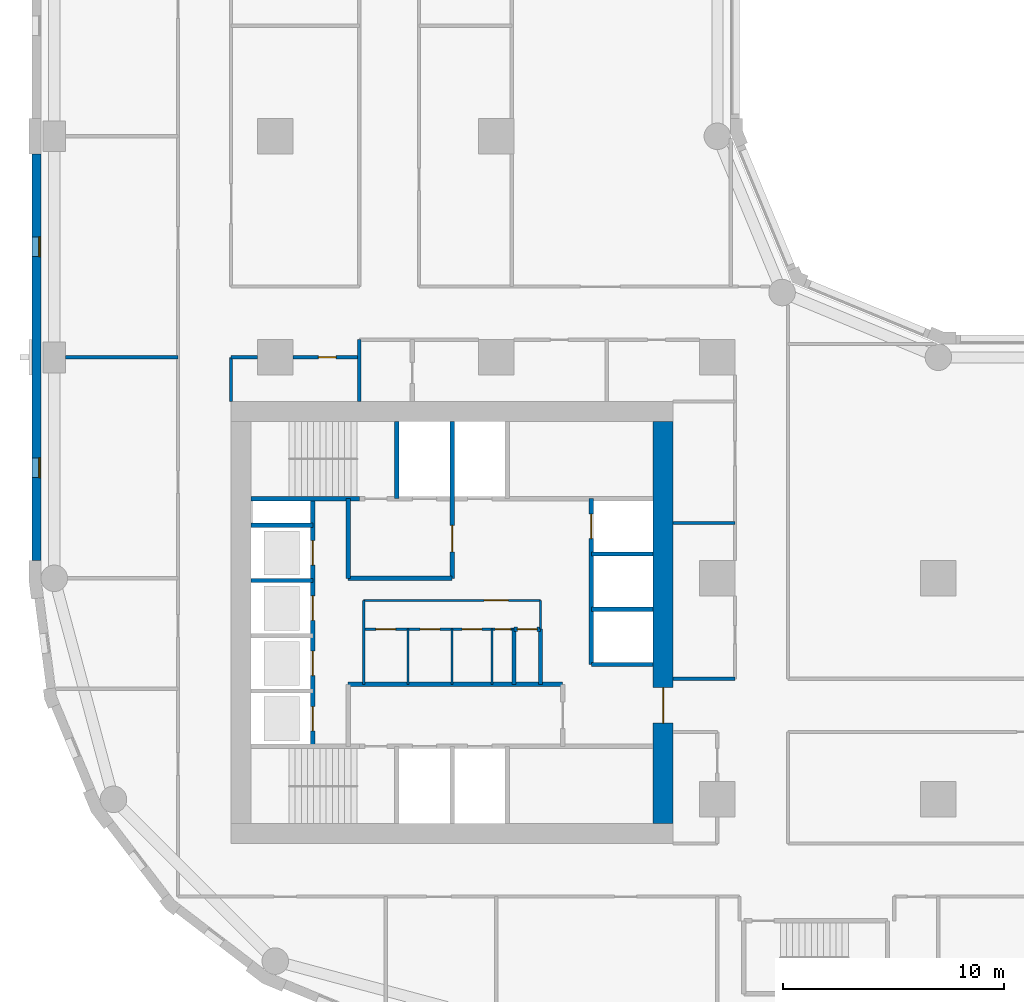
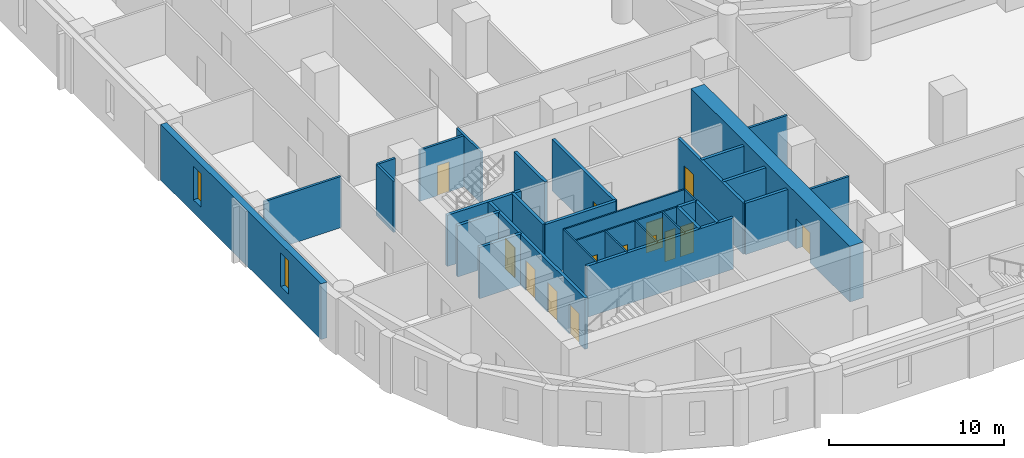
# One storey, part 3 of 10: 32 walls, 14 doors, 2 windows, 16 openings.
"""IFC4 building model written with IfcOpenShell, lengths in metres."""

from ifc_helpers import new_model, si_unit, direction, frame, frame_2d, origin, place, context, subcontext, project, spatial, rectangle, extrude, material, layer, layer_set, type_object, element, fill, save


model = new_model("IFC4")

# Units and contexts
model_context = context("Model", 3, precision=1e-05, world=origin(), true_north=direction((0.0, 1.0)))
body_context = subcontext(model_context, "Body", "Model", "MODEL_VIEW")
ifc_project = project(units=[si_unit("LENGTHUNIT", "METRE"), si_unit("AREAUNIT", "SQUARE_METRE"), si_unit("VOLUMEUNIT", "CUBIC_METRE"), si_unit("PLANEANGLEUNIT", "RADIAN"), si_unit("MASSUNIT", "GRAM", prefix="KILO")], contexts=[model_context])

# Site, building, storey
site_placement = place(None, origin())
site = spatial("IfcSite", under=ifc_project, at=site_placement, CompositionType="ELEMENT")
building_placement = place(site_placement, origin())
building = spatial("IfcBuilding", under=site, at=building_placement, Name="Qaws Garden Tower", CompositionType="ELEMENT")
storey_placement = place(building_placement, frame((0.0, 0.0, 93.89990234375)))
storey = spatial("IfcBuildingStorey", under=building, at=storey_placement, Name="L23", CompositionType="ELEMENT", Elevation=93.89990234375)

# Wall, openings, windows
ifc_material_1 = material(Name="Clay facing brick masonry", Category="masonry")
ifc_layer_1 = layer(ifc_material_1, 0.39990234375)
ifc_layer_set_1 = layer_set([ifc_layer_1], Name="Clay facing brick masonry")
wall_type_1 = type_object("IfcWallType", Name="Brick infill wall 400", PredefinedType="SOLIDWALL", material=ifc_layer_set_1)
wall_1_placement = place(storey_placement, frame((-0.800048828125, 39.199951171875, 0.0), z_axis=(0.0, 0.0, 1.0), x_axis=(0.0, -1.0, 0.0)))
wall_1 = element("IfcWall", 1, at=wall_1_placement, inside=storey, type_object=wall_type_1, Name="E-L23-infill-25", PredefinedType="SOLIDWALL", context=body_context, shape_type="SweptSolid", body=[
    extrude(rectangle(XDim=18.39990234375, YDim=0.39990234375, at=frame_2d((9.199951171875, 0.0))), origin(), (0.0, 0.0, 1.0), 3.900146484375),
])
opening_1_placement = place(wall_1_placement, frame((3.75, 0.0, 0.89990234375)))
opening_1 = element("IfcOpeningElement", 2, at=opening_1_placement, cuts=wall_1, Name="Opening W09", PredefinedType="OPENING", context=body_context, shape_type="SweptSolid", body=[
    extrude(rectangle(XDim=0.89990234375, YDim=2.35009765625, at=frame_2d((0.449951171875, 1.175048828125))), frame((0.0, 0.2099609375, 0.0), z_axis=(0.0, -1.0, 0.0), x_axis=(1.0, 0.0, 0.0)), (0.0, 0.0, 1.0), 0.419921875),
])
opening_2_placement = place(wall_1_placement, frame((13.75, 0.0, 0.89990234375)))
opening_2 = element("IfcOpeningElement", 3, at=opening_2_placement, cuts=wall_1, Name="Opening W09", PredefinedType="OPENING", context=body_context, shape_type="SweptSolid", body=[
    extrude(rectangle(XDim=0.89990234375, YDim=2.35009765625, at=frame_2d((0.449951171875, 1.175048828125))), frame((0.0, 0.2099609375, 0.0), z_axis=(0.0, -1.0, 0.0), x_axis=(1.0, 0.0, 0.0)), (0.0, 0.0, 1.0), 0.419921875),
])
ifc_material_2 = material(Name="Aluminium framed window, clear glazing", Category="aluminium")
window_type = type_object("IfcWindowType", Name="Slit window 900 x 2350", PartitioningType="SINGLE_PANEL", PredefinedType="WINDOW", material=ifc_material_2)
window_1_placement = place(opening_1_placement, origin())
window_1 = element("IfcWindow", 4, at=window_1_placement, inside=storey, type_object=window_type, Name="E-L23-window-25-0", OverallHeight=2.35009765625, OverallWidth=0.89990234375, PartitioningType="SINGLE_PANEL", PredefinedType="WINDOW", context=body_context, shape_type="SweptSolid", body=[
    extrude(rectangle(XDim=0.89990234375, YDim=2.35009765625, at=frame_2d((0.449951171875, 1.175048828125))), frame((0.0, 0.159912109375, 0.0), z_axis=(0.0, -1.0, 0.0), x_axis=(1.0, 0.0, 0.0)), (0.0, 0.0, 1.0), 0.06005859375),
])
fill(opening_1, window_1)
window_2_placement = place(opening_2_placement, origin())
window_2 = element("IfcWindow", 5, at=window_2_placement, inside=storey, type_object=window_type, Name="E-L23-window-26-0", OverallHeight=2.35009765625, OverallWidth=0.89990234375, PartitioningType="SINGLE_PANEL", PredefinedType="WINDOW", context=body_context, shape_type="SweptSolid", body=[
    extrude(rectangle(XDim=0.89990234375, YDim=2.35009765625, at=frame_2d((0.449951171875, 1.175048828125))), frame((0.0, 0.159912109375, 0.0), z_axis=(0.0, -1.0, 0.0), x_axis=(1.0, 0.0, 0.0)), (0.0, 0.0, 1.0), 0.06005859375),
])
fill(opening_2, window_2)

# Wall, openings, doors
ifc_material_3 = material(Name="Plasterboard")
ifc_layer_2 = layer(ifc_material_3, 0.10009765625)
ifc_layer_set_2 = layer_set([ifc_layer_2], Name="Plasterboard")
wall_type_2 = type_object("IfcWallType", Name="Core partition 100", PredefinedType="PARTITIONING", material=ifc_layer_set_2)
wall_2_placement = place(storey_placement, frame((14.0, 17.699951171875, 0.0), z_axis=(0.0, 0.0, 1.0), x_axis=(1.0, 0.0, 0.0)))
wall_2 = element("IfcWall", 6, at=wall_2_placement, inside=storey, type_object=wall_type_2, Name="Core partition", PredefinedType="PARTITIONING", context=body_context, shape_type="SweptSolid", body=[
    extrude(rectangle(XDim=6.800048828125, YDim=0.10009765625, at=frame_2d((3.39990234375, 0.0))), origin(), (0.0, 0.0, 1.0), 3.580078125),
])
opening_3_placement = place(wall_2_placement, frame((0.550048828125, 0.0, 0.0)))
opening_3 = element("IfcOpeningElement", 7, at=opening_3_placement, cuts=wall_2, Name="Opening WD18", PredefinedType="OPENING", context=body_context, shape_type="SweptSolid", body=[
    extrude(rectangle(XDim=0.89990234375, YDim=2.10009765625, at=frame_2d((0.449951171875, 1.050048828125))), frame((0.0, 0.06005859375, 0.0), z_axis=(0.0, -1.0, 0.0), x_axis=(1.0, 0.0, 0.0)), (0.0, 0.0, 1.0), 0.1201171875),
])
opening_4_placement = place(wall_2_placement, frame((2.550048828125, 0.0, 0.0)))
opening_4 = element("IfcOpeningElement", 8, at=opening_4_placement, cuts=wall_2, Name="Opening WD19", PredefinedType="OPENING", context=body_context, shape_type="SweptSolid", body=[
    extrude(rectangle(XDim=0.89990234375, YDim=2.10009765625, at=frame_2d((0.449951171875, 1.050048828125))), frame((0.0, 0.06005859375, 0.0), z_axis=(0.0, -1.0, 0.0), x_axis=(1.0, 0.0, 0.0)), (0.0, 0.0, 1.0), 0.1201171875),
])
opening_5_placement = place(wall_2_placement, frame((4.449951171875, 0.0, 0.0)))
opening_5 = element("IfcOpeningElement", 9, at=opening_5_placement, cuts=wall_2, Name="Opening WD20", PredefinedType="OPENING", context=body_context, shape_type="SweptSolid", body=[
    extrude(rectangle(XDim=0.89990234375, YDim=2.10009765625, at=frame_2d((0.449951171875, 1.050048828125))), frame((0.0, 0.06005859375, 0.0), z_axis=(0.0, -1.0, 0.0), x_axis=(1.0, 0.0, 0.0)), (0.0, 0.0, 1.0), 0.1201171875),
])
opening_6_placement = place(wall_2_placement, frame((5.949951171875, 0.0, 0.0)))
opening_6 = element("IfcOpeningElement", 10, at=opening_6_placement, cuts=wall_2, Name="Opening XD21", PredefinedType="OPENING", context=body_context, shape_type="SweptSolid", body=[
    extrude(rectangle(XDim=0.699951171875, YDim=2.10009765625, at=frame_2d((0.35009765625, 1.050048828125))), frame((0.0, 0.06005859375, 0.0), z_axis=(0.0, -1.0, 0.0), x_axis=(1.0, 0.0, 0.0)), (0.0, 0.0, 1.0), 0.1201171875),
])
ifc_material_4 = material(Name="Timber", Category="wood")
door_type_1 = type_object("IfcDoorType", Name="Store door 700x2100", OperationType="SINGLE_SWING_LEFT", PredefinedType="DOOR", material=ifc_material_4)
door_1_placement = place(opening_6_placement, frame((0.699951171875, 0.0, 0.0), z_axis=(0.0, 0.0, 1.0), x_axis=(-1.0, 0.0, 0.0)))
door_1 = element("IfcDoor", 11, at=door_1_placement, inside=storey, type_object=door_type_1, Name="Cleaner's store door", OperationType="SINGLE_SWING_LEFT", OverallHeight=2.10009765625, OverallWidth=0.699951171875, PredefinedType="DOOR", context=body_context, shape_type="SweptSolid", body=[
    extrude(rectangle(XDim=0.699951171875, YDim=2.10009765625, at=frame_2d((0.35009765625, 1.050048828125))), frame((0.0, 0.02490234375, 0.0), z_axis=(0.0, -1.0, 0.0), x_axis=(1.0, 0.0, 0.0)), (0.0, 0.0, 1.0), 0.050048828125),
])
fill(opening_6, door_1)
ifc_material_5 = material(Name="Timber", Category="wood")
door_type_2 = type_object("IfcDoorType", Name="WC door 900x2100", OperationType="SINGLE_SWING_LEFT", PredefinedType="DOOR", material=ifc_material_5)
door_2_placement = place(opening_3_placement, frame((0.89990234375, 0.0, 0.0), z_axis=(0.0, 0.0, 1.0), x_axis=(-1.0, 0.0, 0.0)))
door_2 = element("IfcDoor", 12, at=door_2_placement, inside=storey, type_object=door_type_2, Name="Women's WC door", OperationType="SINGLE_SWING_LEFT", OverallHeight=2.10009765625, OverallWidth=0.89990234375, PredefinedType="DOOR", context=body_context, shape_type="SweptSolid", body=[
    extrude(rectangle(XDim=0.89990234375, YDim=2.10009765625, at=frame_2d((0.449951171875, 1.050048828125))), frame((0.0, 0.02490234375, 0.0), z_axis=(0.0, -1.0, 0.0), x_axis=(1.0, 0.0, 0.0)), (0.0, 0.0, 1.0), 0.050048828125),
])
fill(opening_3, door_2)
door_3_placement = place(opening_4_placement, frame((0.89990234375, 0.0, 0.0), z_axis=(0.0, 0.0, 1.0), x_axis=(-1.0, 0.0, 0.0)))
door_3 = element("IfcDoor", 13, at=door_3_placement, inside=storey, type_object=door_type_2, Name="Men's WC door", OperationType="SINGLE_SWING_LEFT", OverallHeight=2.10009765625, OverallWidth=0.89990234375, PredefinedType="DOOR", context=body_context, shape_type="SweptSolid", body=[
    extrude(rectangle(XDim=0.89990234375, YDim=2.10009765625, at=frame_2d((0.449951171875, 1.050048828125))), frame((0.0, 0.02490234375, 0.0), z_axis=(0.0, -1.0, 0.0), x_axis=(1.0, 0.0, 0.0)), (0.0, 0.0, 1.0), 0.050048828125),
])
fill(opening_4, door_3)
door_4_placement = place(opening_5_placement, frame((0.89990234375, 0.0, 0.0), z_axis=(0.0, 0.0, 1.0), x_axis=(-1.0, 0.0, 0.0)))
door_4 = element("IfcDoor", 14, at=door_4_placement, inside=storey, type_object=door_type_2, Name="Accessible WC door", OperationType="SINGLE_SWING_LEFT", OverallHeight=2.10009765625, OverallWidth=0.89990234375, PredefinedType="DOOR", context=body_context, shape_type="SweptSolid", body=[
    extrude(rectangle(XDim=0.89990234375, YDim=2.10009765625, at=frame_2d((0.449951171875, 1.050048828125))), frame((0.0, 0.02490234375, 0.0), z_axis=(0.0, -1.0, 0.0), x_axis=(1.0, 0.0, 0.0)), (0.0, 0.0, 1.0), 0.050048828125),
])
fill(opening_5, door_4)

# Wall, opening, door
wall_3_placement = place(storey_placement, frame((14.0, 19.0, 0.0), z_axis=(0.0, 0.0, 1.0), x_axis=(1.0, 0.0, 0.0)))
wall_3 = element("IfcWall", 15, at=wall_3_placement, inside=storey, type_object=wall_type_2, Name="Core partition", PredefinedType="PARTITIONING", context=body_context, shape_type="SweptSolid", body=[
    extrude(rectangle(XDim=8.0, YDim=0.10009765625, at=frame_2d((4.0, 0.0))), origin(), (0.0, 0.0, 1.0), 3.580078125),
])
opening_7_placement = place(wall_3_placement, frame((5.449951171875, 0.0, 0.0)))
opening_7 = element("IfcOpeningElement", 16, at=opening_7_placement, cuts=wall_3, Name="Opening WL17", PredefinedType="OPENING", context=body_context, shape_type="SweptSolid", body=[
    extrude(rectangle(XDim=1.10009765625, YDim=2.10009765625, at=frame_2d((0.550048828125, 1.050048828125))), frame((0.0, 0.06005859375, 0.0), z_axis=(0.0, -1.0, 0.0), x_axis=(1.0, 0.0, 0.0)), (0.0, 0.0, 1.0), 0.1201171875),
])
ifc_material_6 = material(Name="Timber", Category="wood")
door_type_3 = type_object("IfcDoorType", Name="WC lobby door 1100x2100", OperationType="SINGLE_SWING_LEFT", PredefinedType="DOOR", material=ifc_material_6)
door_5_placement = place(opening_7_placement, frame((1.10009765625, 0.0, 0.0), z_axis=(0.0, 0.0, 1.0), x_axis=(-1.0, 0.0, 0.0)))
door_5 = element("IfcDoor", 17, at=door_5_placement, inside=storey, type_object=door_type_3, Name="WC lobby door", OperationType="SINGLE_SWING_LEFT", OverallHeight=2.10009765625, OverallWidth=1.10009765625, PredefinedType="DOOR", context=body_context, shape_type="SweptSolid", body=[
    extrude(rectangle(XDim=1.10009765625, YDim=2.10009765625, at=frame_2d((0.550048828125, 1.050048828125))), frame((0.0, 0.02490234375, 0.0), z_axis=(0.0, -1.0, 0.0), x_axis=(1.0, 0.0, 0.0)), (0.0, 0.0, 1.0), 0.050048828125),
])
fill(opening_7, door_5)

# Walls
wall_4_placement = place(storey_placement, frame((14.0, 15.199951171875, 0.0), z_axis=(0.0, 0.0, 1.0), x_axis=(0.0, 1.0, 0.0)))
element("IfcWall", 18, at=wall_4_placement, inside=storey, type_object=wall_type_2, Name="Core partition", PredefinedType="PARTITIONING", context=body_context, shape_type="SweptSolid", body=[
    extrude(rectangle(XDim=3.800048828125, YDim=0.10009765625, at=frame_2d((1.89990234375, 0.0))), origin(), (0.0, 0.0, 1.0), 3.580078125),
])
for number, where, z_axis, x_axis, name in (
    (19, (16.0, 15.199951171875, 0.0), (0.0, 0.0, 1.0), (0.0, 1.0, 0.0), "Core partition"),
    (20, (18.0, 15.199951171875, 0.0), (0.0, 0.0, 1.0), (0.0, 1.0, 0.0), "Core partition"),
    (21, (19.800048828125, 15.199951171875, 0.0), (0.0, 0.0, 1.0), (0.0, 1.0, 0.0), "Core partition"),
):
    element("IfcWall", number, at=place(storey_placement, frame(where, z_axis=z_axis, x_axis=x_axis)), inside=storey, type_object=wall_type_2, Name=name, PredefinedType="PARTITIONING", context=body_context, shape_type="SweptSolid", body=[
        extrude(rectangle(XDim=2.5, YDim=0.10009765625, at=frame_2d((1.25, 0.0))), origin(), (0.0, 0.0, 1.0), 3.580078125),
    ])
wall_5_placement = place(storey_placement, frame((22.0, 17.699951171875, 0.0), z_axis=(0.0, 0.0, 1.0), x_axis=(0.0, 1.0, 0.0)))
element("IfcWall", 22, at=wall_5_placement, inside=storey, type_object=wall_type_2, Name="Core partition", PredefinedType="PARTITIONING", context=body_context, shape_type="SweptSolid", body=[
    extrude(rectangle(XDim=1.300048828125, YDim=0.10009765625, at=frame_2d((0.64990234375, 0.0))), origin(), (0.0, 0.0, 1.0), 3.580078125),
])
ifc_material_7 = material(Name="Concrete C80", Category="concrete")
ifc_layer_3 = layer(ifc_material_7, 0.199951171875)
ifc_layer_set_3 = layer_set([ifc_layer_3], Name="Concrete C80")
wall_type_3 = type_object("IfcWallType", Name="Core shaft wall 200 C80", PredefinedType="SHEAR", material=ifc_layer_set_3)
wall_6_placement = place(storey_placement, frame((13.300048828125, 15.199951171875, 0.0), z_axis=(0.0, 0.0, 1.0), x_axis=(1.0, 0.0, 0.0)))
element("IfcWall", 23, at=wall_6_placement, inside=storey, type_object=wall_type_3, Name="Shaft wall", PredefinedType="SHEAR", context=body_context, shape_type="SweptSolid", body=[
    extrude(rectangle(XDim=9.699951171875, YDim=0.199951171875, at=frame_2d((4.85009765625, 0.0))), origin(), (0.0, 0.0, 1.0), 3.580078125),
])
wall_7_placement = place(storey_placement, frame((24.300048828125, 16.10009765625, 0.0), z_axis=(0.0, 0.0, 1.0), x_axis=(1.0, 0.0, 0.0)))
element("IfcWall", 24, at=wall_7_placement, inside=storey, type_object=wall_type_3, Name="Shaft wall", PredefinedType="SHEAR", context=body_context, shape_type="SweptSolid", body=[
    extrude(rectangle(XDim=2.800048828125, YDim=0.199951171875, at=frame_2d((1.39990234375, 0.0))), origin(), (0.0, 0.0, 1.0), 3.580078125),
])

# Wall, opening, door
wall_8_placement = place(storey_placement, frame((20.800048828125, 17.699951171875, 0.0), z_axis=(0.0, 0.0, 1.0), x_axis=(1.0, 0.0, 0.0)))
wall_8 = element("IfcWall", 25, at=wall_8_placement, inside=storey, type_object=wall_type_3, Name="Shaft wall", PredefinedType="SHEAR", context=body_context, shape_type="SweptSolid", body=[
    extrude(rectangle(XDim=1.199951171875, YDim=0.199951171875, at=frame_2d((0.60009765625, 0.0))), origin(), (0.0, 0.0, 1.0), 3.580078125),
])
opening_8_placement = place(wall_8_placement, frame((0.14990234375, 0.0, 0.0)))
opening_8 = element("IfcOpeningElement", 26, at=opening_8_placement, cuts=wall_8, Name="Opening WD22", PredefinedType="OPENING", context=body_context, shape_type="SweptSolid", body=[
    extrude(rectangle(XDim=0.89990234375, YDim=2.10009765625, at=frame_2d((0.449951171875, 1.050048828125))), frame((0.0, 0.10986328125, 0.0), z_axis=(0.0, -1.0, 0.0), x_axis=(1.0, 0.0, 0.0)), (0.0, 0.0, 1.0), 0.219970703125),
])
door_6_placement = place(opening_8_placement, frame((0.89990234375, 0.0, 0.0), z_axis=(0.0, 0.0, 1.0), x_axis=(-1.0, 0.0, 0.0)))
door_6 = element("IfcDoor", 27, at=door_6_placement, inside=storey, type_object=door_type_2, Name="Telecom riser door", OperationType="SINGLE_SWING_LEFT", OverallHeight=2.10009765625, OverallWidth=0.89990234375, PredefinedType="DOOR", context=body_context, shape_type="SweptSolid", body=[
    extrude(rectangle(XDim=0.89990234375, YDim=2.10009765625, at=frame_2d((0.449951171875, 1.050048828125))), frame((0.0, 0.02490234375, 0.0), z_axis=(0.0, -1.0, 0.0), x_axis=(1.0, 0.0, 0.0)), (0.0, 0.0, 1.0), 0.050048828125),
])
fill(opening_8, door_6)

# Walls
for number, where, z_axis, x_axis, name in (
    (28, (24.300048828125, 18.60009765625, 0.0), (0.0, 0.0, 1.0), (1.0, 0.0, 0.0), "Shaft wall"),
    (29, (8.89990234375, 19.89990234375, 0.0), (0.0, 0.0, 1.0), (1.0, 0.0, 0.0), "Shaft wall"),
):
    element("IfcWall", number, at=place(storey_placement, frame(where, z_axis=z_axis, x_axis=x_axis)), inside=storey, type_object=wall_type_3, Name=name, PredefinedType="SHEAR", context=body_context, shape_type="SweptSolid", body=[
        extrude(rectangle(XDim=2.800048828125, YDim=0.199951171875, at=frame_2d((1.39990234375, 0.0))), origin(), (0.0, 0.0, 1.0), 3.580078125),
    ])
wall_9_placement = place(storey_placement, frame((13.300048828125, 20.0, 0.0), z_axis=(0.0, 0.0, 1.0), x_axis=(1.0, 0.0, 0.0)))
element("IfcWall", 30, at=wall_9_placement, inside=storey, type_object=wall_type_3, Name="Shaft wall", PredefinedType="SHEAR", context=body_context, shape_type="SweptSolid", body=[
    extrude(rectangle(XDim=4.699951171875, YDim=0.199951171875, at=frame_2d((2.35009765625, 0.0))), origin(), (0.0, 0.0, 1.0), 3.580078125),
])
for number, where, z_axis, x_axis, name in (
    (31, (24.300048828125, 21.10009765625, 0.0), (0.0, 0.0, 1.0), (1.0, 0.0, 0.0), "Shaft wall"),
    (32, (8.89990234375, 22.39990234375, 0.0), (0.0, 0.0, 1.0), (1.0, 0.0, 0.0), "Shaft wall"),
):
    element("IfcWall", number, at=place(storey_placement, frame(where, z_axis=z_axis, x_axis=x_axis)), inside=storey, type_object=wall_type_3, Name=name, PredefinedType="SHEAR", context=body_context, shape_type="SweptSolid", body=[
        extrude(rectangle(XDim=2.800048828125, YDim=0.199951171875, at=frame_2d((1.39990234375, 0.0))), origin(), (0.0, 0.0, 1.0), 3.580078125),
    ])
wall_10_placement = place(storey_placement, frame((8.89990234375, 23.60009765625, 0.0), z_axis=(0.0, 0.0, 1.0), x_axis=(1.0, 0.0, 0.0)))
element("IfcWall", 33, at=wall_10_placement, inside=storey, type_object=wall_type_3, Name="Shaft wall", PredefinedType="SHEAR", context=body_context, shape_type="SweptSolid", body=[
    extrude(rectangle(XDim=4.900146484375, YDim=0.199951171875, at=frame_2d((2.4501953125, 0.0))), origin(), (0.0, 0.0, 1.0), 3.580078125),
])

# Wall, openings, doors
wall_11_placement = place(storey_placement, frame((11.699951171875, 12.39990234375, 0.0), z_axis=(0.0, 0.0, 1.0), x_axis=(0.0, 1.0, 0.0)))
wall_11 = element("IfcWall", 34, at=wall_11_placement, inside=storey, type_object=wall_type_3, Name="Shaft wall", PredefinedType="SHEAR", context=body_context, shape_type="SweptSolid", body=[
    extrude(rectangle(XDim=11.2001953125, YDim=0.199951171875, at=frame_2d((5.60009765625, 0.0))), origin(), (0.0, 0.0, 1.0), 3.580078125),
])
opening_9_placement = place(wall_11_placement, frame((0.699951171875, 0.0, 0.0)))
opening_9 = element("IfcOpeningElement", 35, at=opening_9_placement, cuts=wall_11, Name="Opening LD01", PredefinedType="OPENING", context=body_context, shape_type="SweptSolid", body=[
    extrude(rectangle(XDim=1.10009765625, YDim=2.10009765625, at=frame_2d((0.550048828125, 1.050048828125))), frame((0.0, 0.10986328125, 0.0), z_axis=(0.0, -1.0, 0.0), x_axis=(1.0, 0.0, 0.0)), (0.0, 0.0, 1.0), 0.219970703125),
])
opening_10_placement = place(wall_11_placement, frame((3.199951171875, 0.0, 0.0)))
opening_10 = element("IfcOpeningElement", 36, at=opening_10_placement, cuts=wall_11, Name="Opening LD02", PredefinedType="OPENING", context=body_context, shape_type="SweptSolid", body=[
    extrude(rectangle(XDim=1.10009765625, YDim=2.10009765625, at=frame_2d((0.550048828125, 1.050048828125))), frame((0.0, 0.10986328125, 0.0), z_axis=(0.0, -1.0, 0.0), x_axis=(1.0, 0.0, 0.0)), (0.0, 0.0, 1.0), 0.219970703125),
])
opening_11_placement = place(wall_11_placement, frame((5.699951171875, 0.0, 0.0)))
opening_11 = element("IfcOpeningElement", 37, at=opening_11_placement, cuts=wall_11, Name="Opening LD03", PredefinedType="OPENING", context=body_context, shape_type="SweptSolid", body=[
    extrude(rectangle(XDim=1.10009765625, YDim=2.10009765625, at=frame_2d((0.550048828125, 1.050048828125))), frame((0.0, 0.10986328125, 0.0), z_axis=(0.0, -1.0, 0.0), x_axis=(1.0, 0.0, 0.0)), (0.0, 0.0, 1.0), 0.219970703125),
])
opening_12_placement = place(wall_11_placement, frame((8.199951171875, 0.0, 0.0)))
opening_12 = element("IfcOpeningElement", 38, at=opening_12_placement, cuts=wall_11, Name="Opening LD04", PredefinedType="OPENING", context=body_context, shape_type="SweptSolid", body=[
    extrude(rectangle(XDim=1.10009765625, YDim=2.10009765625, at=frame_2d((0.550048828125, 1.050048828125))), frame((0.0, 0.10986328125, 0.0), z_axis=(0.0, -1.0, 0.0), x_axis=(1.0, 0.0, 0.0)), (0.0, 0.0, 1.0), 0.219970703125),
])
ifc_material_8 = material(Name="Steel S235", Category="steel")
door_type_4 = type_object("IfcDoorType", Name="Landing door 1100x2100", OperationType="DOUBLE_DOOR_SLIDING", PredefinedType="DOOR", material=ifc_material_8)
door_7_placement = place(opening_9_placement, origin())
door_7 = element("IfcDoor", 39, at=door_7_placement, inside=storey, type_object=door_type_4, Name="Lift W1 landing door", OperationType="DOUBLE_DOOR_SLIDING", OverallHeight=2.10009765625, OverallWidth=1.10009765625, PredefinedType="DOOR", context=body_context, shape_type="SweptSolid", body=[
    extrude(rectangle(XDim=1.10009765625, YDim=2.10009765625, at=frame_2d((0.550048828125, 1.050048828125))), frame((0.0, 0.02490234375, 0.0), z_axis=(0.0, -1.0, 0.0), x_axis=(1.0, 0.0, 0.0)), (0.0, 0.0, 1.0), 0.050048828125),
])
fill(opening_9, door_7)
door_8_placement = place(opening_10_placement, origin())
door_8 = element("IfcDoor", 40, at=door_8_placement, inside=storey, type_object=door_type_4, Name="Lift W2 landing door", OperationType="DOUBLE_DOOR_SLIDING", OverallHeight=2.10009765625, OverallWidth=1.10009765625, PredefinedType="DOOR", context=body_context, shape_type="SweptSolid", body=[
    extrude(rectangle(XDim=1.10009765625, YDim=2.10009765625, at=frame_2d((0.550048828125, 1.050048828125))), frame((0.0, 0.02490234375, 0.0), z_axis=(0.0, -1.0, 0.0), x_axis=(1.0, 0.0, 0.0)), (0.0, 0.0, 1.0), 0.050048828125),
])
fill(opening_10, door_8)
door_9_placement = place(opening_11_placement, origin())
door_9 = element("IfcDoor", 41, at=door_9_placement, inside=storey, type_object=door_type_4, Name="Lift W3 landing door", OperationType="DOUBLE_DOOR_SLIDING", OverallHeight=2.10009765625, OverallWidth=1.10009765625, PredefinedType="DOOR", context=body_context, shape_type="SweptSolid", body=[
    extrude(rectangle(XDim=1.10009765625, YDim=2.10009765625, at=frame_2d((0.550048828125, 1.050048828125))), frame((0.0, 0.02490234375, 0.0), z_axis=(0.0, -1.0, 0.0), x_axis=(1.0, 0.0, 0.0)), (0.0, 0.0, 1.0), 0.050048828125),
])
fill(opening_11, door_9)
door_10_placement = place(opening_12_placement, origin())
door_10 = element("IfcDoor", 42, at=door_10_placement, inside=storey, type_object=door_type_4, Name="Lift W4 landing door", OperationType="DOUBLE_DOOR_SLIDING", OverallHeight=2.10009765625, OverallWidth=1.10009765625, PredefinedType="DOOR", context=body_context, shape_type="SweptSolid", body=[
    extrude(rectangle(XDim=1.10009765625, YDim=2.10009765625, at=frame_2d((0.550048828125, 1.050048828125))), frame((0.0, 0.02490234375, 0.0), z_axis=(0.0, -1.0, 0.0), x_axis=(1.0, 0.0, 0.0)), (0.0, 0.0, 1.0), 0.050048828125),
])
fill(opening_12, door_10)

# Walls
wall_12_placement = place(storey_placement, frame((13.300048828125, 20.0, 0.0), z_axis=(0.0, 0.0, 1.0), x_axis=(0.0, 1.0, 0.0)))
element("IfcWall", 43, at=wall_12_placement, inside=storey, type_object=wall_type_3, Name="Shaft wall", PredefinedType="SHEAR", context=body_context, shape_type="SweptSolid", body=[
    extrude(rectangle(XDim=3.60009765625, YDim=0.199951171875, at=frame_2d((1.800048828125, 0.0))), origin(), (0.0, 0.0, 1.0), 3.580078125),
])
wall_13_placement = place(storey_placement, frame((15.5, 23.60009765625, 0.0), z_axis=(0.0, 0.0, 1.0), x_axis=(0.0, 1.0, 0.0)))
element("IfcWall", 44, at=wall_13_placement, inside=storey, type_object=wall_type_3, Name="Shaft wall", PredefinedType="SHEAR", context=body_context, shape_type="SweptSolid", body=[
    extrude(rectangle(XDim=3.5, YDim=0.199951171875, at=frame_2d((1.75, 0.0))), origin(), (0.0, 0.0, 1.0), 3.580078125),
])

# Wall, opening, door
wall_14_placement = place(storey_placement, frame((18.0, 20.0, 0.0), z_axis=(0.0, 0.0, 1.0), x_axis=(0.0, 1.0, 0.0)))
wall_14 = element("IfcWall", 45, at=wall_14_placement, inside=storey, type_object=wall_type_3, Name="Shaft wall", PredefinedType="SHEAR", context=body_context, shape_type="SweptSolid", body=[
    extrude(rectangle(XDim=7.10009765625, YDim=0.199951171875, at=frame_2d((3.550048828125, 0.0))), origin(), (0.0, 0.0, 1.0), 3.580078125),
])
opening_13_placement = place(wall_14_placement, frame((1.199951171875, 0.0, 0.0)))
opening_13 = element("IfcOpeningElement", 46, at=opening_13_placement, cuts=wall_14, Name="Opening FD16", PredefinedType="OPENING", context=body_context, shape_type="SweptSolid", body=[
    extrude(rectangle(XDim=1.199951171875, YDim=2.10009765625, at=frame_2d((0.60009765625, 1.050048828125))), frame((0.0, 0.10986328125, 0.0), z_axis=(0.0, -1.0, 0.0), x_axis=(1.0, 0.0, 0.0)), (0.0, 0.0, 1.0), 0.219970703125),
])
ifc_material_9 = material(Name="Steel S235", Category="steel")
door_type_5 = type_object("IfcDoorType", Name="Lobby door 1200x2100", OperationType="DOUBLE_DOOR_SINGLE_SWING", PredefinedType="DOOR", material=ifc_material_9)
door_11_placement = place(opening_13_placement, origin())
door_11 = element("IfcDoor", 47, at=door_11_placement, inside=storey, type_object=door_type_5, Name="Fire-fighting lobby door", OperationType="DOUBLE_DOOR_SINGLE_SWING", OverallHeight=2.10009765625, OverallWidth=1.199951171875, PredefinedType="DOOR", context=body_context, shape_type="SweptSolid", body=[
    extrude(rectangle(XDim=1.199951171875, YDim=2.10009765625, at=frame_2d((0.60009765625, 1.050048828125))), frame((0.0, 0.02490234375, 0.0), z_axis=(0.0, -1.0, 0.0), x_axis=(1.0, 0.0, 0.0)), (0.0, 0.0, 1.0), 0.050048828125),
])
fill(opening_13, door_11)

# Walls
for number, where, z_axis, x_axis, name in (
    (48, (20.800048828125, 15.199951171875, 0.0), (0.0, 0.0, 1.0), (0.0, 1.0, 0.0), "Shaft wall"),
    (49, (22.0, 15.199951171875, 0.0), (0.0, 0.0, 1.0), (0.0, 1.0, 0.0), "Shaft wall"),
):
    element("IfcWall", number, at=place(storey_placement, frame(where, z_axis=z_axis, x_axis=x_axis)), inside=storey, type_object=wall_type_3, Name=name, PredefinedType="SHEAR", context=body_context, shape_type="SweptSolid", body=[
        extrude(rectangle(XDim=2.5, YDim=0.199951171875, at=frame_2d((1.25, 0.0))), origin(), (0.0, 0.0, 1.0), 3.580078125),
    ])

# Wall, opening, door
wall_15_placement = place(storey_placement, frame((24.300048828125, 16.10009765625, 0.0), z_axis=(0.0, 0.0, 1.0), x_axis=(0.0, 1.0, 0.0)))
wall_15 = element("IfcWall", 50, at=wall_15_placement, inside=storey, type_object=wall_type_3, Name="Shaft wall", PredefinedType="SHEAR", context=body_context, shape_type="SweptSolid", body=[
    extrude(rectangle(XDim=7.5, YDim=0.199951171875, at=frame_2d((3.75, 0.0))), origin(), (0.0, 0.0, 1.0), 3.580078125),
])
opening_14_placement = place(wall_15_placement, frame((5.699951171875, 0.0, 0.0)))
opening_14 = element("IfcOpeningElement", 51, at=opening_14_placement, cuts=wall_15, Name="Opening LD05", PredefinedType="OPENING", context=body_context, shape_type="SweptSolid", body=[
    extrude(rectangle(XDim=1.10009765625, YDim=2.10009765625, at=frame_2d((0.550048828125, 1.050048828125))), frame((0.0, 0.10986328125, 0.0), z_axis=(0.0, -1.0, 0.0), x_axis=(1.0, 0.0, 0.0)), (0.0, 0.0, 1.0), 0.219970703125),
])
door_12_placement = place(opening_14_placement, origin())
door_12 = element("IfcDoor", 52, at=door_12_placement, inside=storey, type_object=door_type_4, Name="Lift E3 landing door", OperationType="DOUBLE_DOOR_SLIDING", OverallHeight=2.10009765625, OverallWidth=1.10009765625, PredefinedType="DOOR", context=body_context, shape_type="SweptSolid", body=[
    extrude(rectangle(XDim=1.10009765625, YDim=2.10009765625, at=frame_2d((0.550048828125, 1.050048828125))), frame((0.0, 0.02490234375, 0.0), z_axis=(0.0, -1.0, 0.0), x_axis=(1.0, 0.0, 0.0)), (0.0, 0.0, 1.0), 0.050048828125),
])
fill(opening_14, door_12)

ifc_material_10 = material(Name="Concrete C80", Category="concrete")
ifc_layer_4 = layer(ifc_material_10, 0.89990234375)
ifc_layer_set_4 = layer_set([ifc_layer_4], Name="Concrete C80")
wall_type_4 = type_object("IfcWallType", Name="Core wall 900 C80", PredefinedType="SHEAR", material=ifc_layer_set_4)
wall_16_placement = place(storey_placement, frame((27.550048828125, 8.89990234375, 0.0), z_axis=(0.0, 0.0, 1.0), x_axis=(0.0, 1.0, 0.0)))
wall_16 = element("IfcWall", 53, at=wall_16_placement, inside=storey, type_object=wall_type_4, Name="Core wall L23 east", PredefinedType="SHEAR", context=body_context, shape_type="SweptSolid", body=[
    extrude(rectangle(XDim=18.2001953125, YDim=0.89990234375, at=frame_2d((9.10009765625, 0.0))), origin(), (0.0, 0.0, 1.0), 3.900146484375),
])
opening_15_placement = place(wall_16_placement, frame((4.550048828125, 0.0, 0.0)))
opening_15 = element("IfcOpeningElement", 54, at=opening_15_placement, cuts=wall_16, Name="Opening ED23", PredefinedType="OPENING", context=body_context, shape_type="SweptSolid", body=[
    extrude(rectangle(XDim=1.60009765625, YDim=2.10009765625, at=frame_2d((0.800048828125, 1.050048828125))), frame((0.0, 0.4599609375, 0.0), z_axis=(0.0, -1.0, 0.0), x_axis=(1.0, 0.0, 0.0)), (0.0, 0.0, 1.0), 0.919921875),
])
ifc_material_11 = material(Name="Steel S235", Category="steel")
door_type_6 = type_object("IfcDoorType", Name="Core entrance door 1600x2100", OperationType="DOUBLE_DOOR_SINGLE_SWING", PredefinedType="DOOR", material=ifc_material_11)
door_13_placement = place(opening_15_placement, origin())
door_13 = element("IfcDoor", 55, at=door_13_placement, inside=storey, type_object=door_type_6, Name="Core entrance door", OperationType="DOUBLE_DOOR_SINGLE_SWING", OverallHeight=2.10009765625, OverallWidth=1.60009765625, PredefinedType="DOOR", context=body_context, shape_type="SweptSolid", body=[
    extrude(rectangle(XDim=1.60009765625, YDim=2.10009765625, at=frame_2d((0.800048828125, 1.050048828125))), frame((0.0, 0.02490234375, 0.0), z_axis=(0.0, -1.0, 0.0), x_axis=(1.0, 0.0, 0.0)), (0.0, 0.0, 1.0), 0.050048828125),
])
fill(opening_15, door_13)

# Walls
ifc_material_12 = material(Name="Gypsum board partition")
ifc_layer_5 = layer(ifc_material_12, 0.14990234375)
ifc_layer_set_5 = layer_set([ifc_layer_5], Name="Gypsum board partition")
wall_type_5 = type_object("IfcWallType", Name="PARTITION 150 EI 60", PredefinedType="PARTITIONING", material=ifc_layer_set_5)
wall_17_placement = place(storey_placement, frame((8.0, 28.0, 0.0), z_axis=(0.0, 0.0, 1.0), x_axis=(0.0, 1.0, 0.0)))
element("IfcWall", 56, at=wall_17_placement, inside=storey, type_object=wall_type_5, Name="O-L23-wall-002", PredefinedType="PARTITIONING", context=body_context, shape_type="SweptSolid", body=[
    extrude(rectangle(XDim=2.0, YDim=0.14990234375, at=frame_2d((1.0, 0.0))), origin(), (0.0, 0.0, 1.0), 3.580078125),
])
for number, where, z_axis, x_axis, name in (
    (57, (13.800048828125, 28.0, 0.0), (0.0, 0.0, 1.0), (0.0, 1.0, 0.0), "O-L23-wall-005"),
    (58, (28.0, 15.449951171875, 0.0), (0.0, 0.0, 1.0), (1.0, 0.0, 0.0), "O-L23-wall-038"),
    (59, (28.0, 22.5, 0.0), (0.0, 0.0, 1.0), (1.0, 0.0, 0.0), "O-L23-wall-041"),
):
    element("IfcWall", number, at=place(storey_placement, frame(where, z_axis=z_axis, x_axis=x_axis)), inside=storey, type_object=wall_type_5, Name=name, PredefinedType="PARTITIONING", context=body_context, shape_type="SweptSolid", body=[
        extrude(rectangle(XDim=2.800048828125, YDim=0.14990234375, at=frame_2d((1.39990234375, 0.0))), origin(), (0.0, 0.0, 1.0), 3.580078125),
    ])
wall_18_placement = place(storey_placement, frame((0.5, 30.0, 0.0), z_axis=(0.0, 0.0, 1.0), x_axis=(1.0, 0.0, 0.0)))
element("IfcWall", 60, at=wall_18_placement, inside=storey, type_object=wall_type_5, Name="O-L23-wall-043", PredefinedType="PARTITIONING", context=body_context, shape_type="SweptSolid", body=[
    extrude(rectangle(XDim=5.10009765625, YDim=0.14990234375, at=frame_2d((2.550048828125, 0.0))), origin(), (0.0, 0.0, 1.0), 3.580078125),
])
wall_19_placement = place(storey_placement, frame((8.0, 30.0, 0.0), z_axis=(0.0, 0.0, 1.0), x_axis=(1.0, 0.0, 0.0)))
element("IfcWall", 61, at=wall_19_placement, inside=storey, type_object=wall_type_5, Name="O-L23-wall-044", PredefinedType="PARTITIONING", context=body_context, shape_type="SweptSolid", body=[
    extrude(rectangle(XDim=1.199951171875, YDim=0.14990234375, at=frame_2d((0.60009765625, 0.0))), origin(), (0.0, 0.0, 1.0), 3.580078125),
])

# Wall, opening, door
wall_20_placement = place(storey_placement, frame((10.800048828125, 30.0, 0.0), z_axis=(0.0, 0.0, 1.0), x_axis=(1.0, 0.0, 0.0)))
wall_20 = element("IfcWall", 62, at=wall_20_placement, inside=storey, type_object=wall_type_5, Name="O-L23-wall-045", PredefinedType="PARTITIONING", context=body_context, shape_type="SweptSolid", body=[
    extrude(rectangle(XDim=3.0, YDim=0.14990234375, at=frame_2d((1.5, 0.0))), origin(), (0.0, 0.0, 1.0), 3.580078125),
])
opening_16_placement = place(wall_20_placement, frame((1.14990234375, 0.0, 0.0)))
opening_16 = element("IfcOpeningElement", 63, at=opening_16_placement, cuts=wall_20, Name="Opening A810", PredefinedType="OPENING", context=body_context, shape_type="SweptSolid", body=[
    extrude(rectangle(XDim=0.800048828125, YDim=2.10009765625, at=frame_2d((0.39990234375, 1.050048828125))), frame((0.0, 0.0849609375, 0.0), z_axis=(0.0, -1.0, 0.0), x_axis=(1.0, 0.0, 0.0)), (0.0, 0.0, 1.0), 0.169921875),
])
ifc_material_13 = material(Name="Timber door leaf", Category="wood")
door_type_7 = type_object("IfcDoorType", Name="STORE DOOR 800 X 2100", OperationType="SINGLE_SWING_LEFT", PredefinedType="DOOR", material=ifc_material_13)
door_14_placement = place(opening_16_placement, frame((0.800048828125, 0.0, 0.0), z_axis=(0.0, 0.0, 1.0), x_axis=(-1.0, 0.0, 0.0)))
door_14 = element("IfcDoor", 64, at=door_14_placement, inside=storey, type_object=door_type_7, Name="O-L23-door-010", OperationType="SINGLE_SWING_LEFT", OverallHeight=2.10009765625, OverallWidth=0.800048828125, PredefinedType="DOOR", context=body_context, shape_type="SweptSolid", body=[
    extrude(rectangle(XDim=0.800048828125, YDim=2.10009765625, at=frame_2d((0.39990234375, 1.050048828125))), frame((0.0, 0.02490234375, 0.0), z_axis=(0.0, -1.0, 0.0), x_axis=(1.0, 0.0, 0.0)), (0.0, 0.0, 1.0), 0.050048828125),
])
fill(opening_16, door_14)

save(model, "model.ifc")
